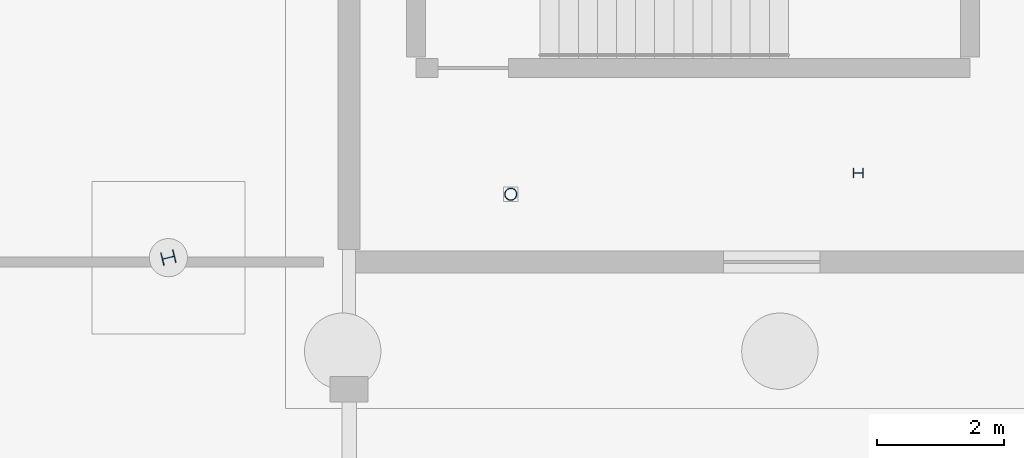
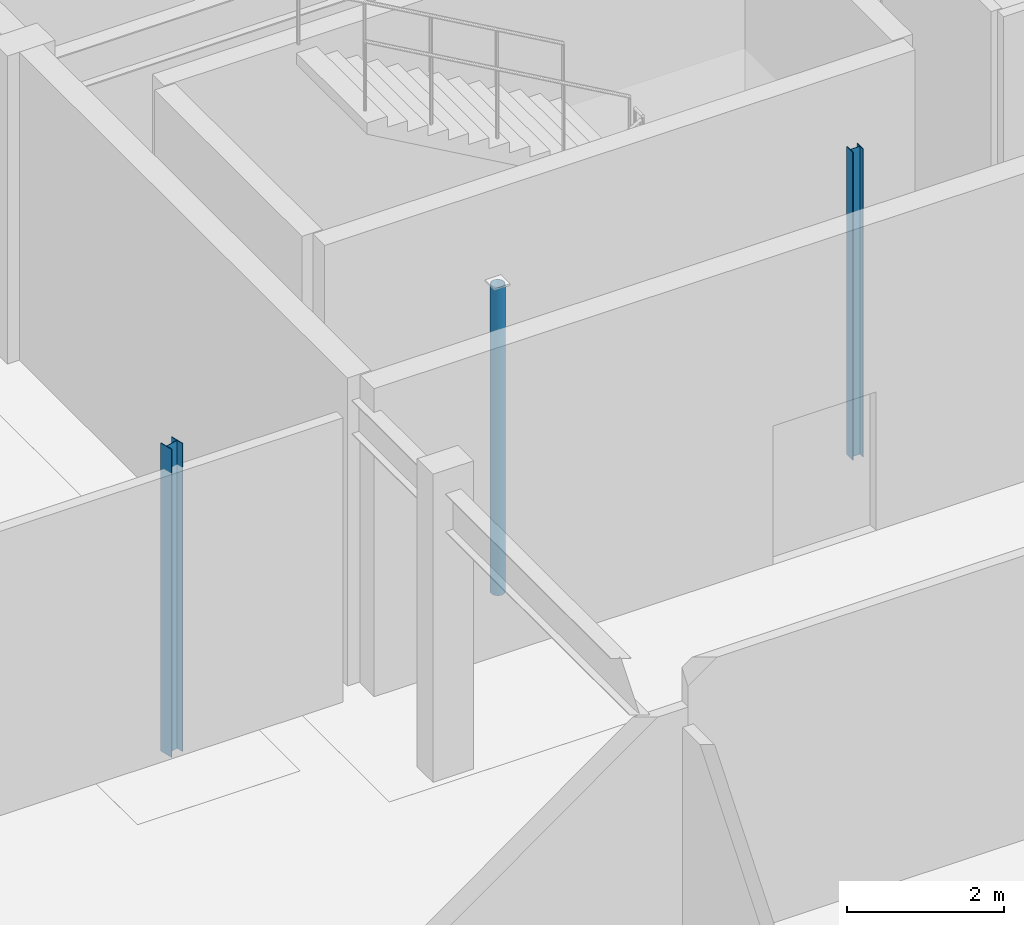
# One storey, part 39 of 136: 3 columns.
"""IFC4 building model written with IfcOpenShell, lengths in metres."""

from ifc_helpers import new_model, si_unit, direction, frame, origin, origin_2d, place, context, subcontext, project, spatial, hollow_circle, i_section, extrude, material, material_profile, profile_set, type_object, element, save


model = new_model("IFC4")

# Units and contexts
model_context = context("Model", 3, precision=1e-05, world=origin(), true_north=direction((0.0, 1.0)))
body_context = subcontext(model_context, "Body", "Model", "MODEL_VIEW")
ifc_project = project(units=[si_unit("LENGTHUNIT", "METRE"), si_unit("AREAUNIT", "SQUARE_METRE"), si_unit("VOLUMEUNIT", "CUBIC_METRE"), si_unit("PLANEANGLEUNIT", "RADIAN"), si_unit("MASSUNIT", "GRAM", prefix="KILO")], contexts=[model_context])

# Site, building, storey
site_placement = place(None, origin())
site = spatial("IfcSite", under=ifc_project, at=site_placement, CompositionType="ELEMENT")
building_placement = place(site_placement, origin())
building = spatial("IfcBuilding", under=site, at=building_placement, Name="Tarnwether General Hospital", CompositionType="ELEMENT")
storey_placement = place(building_placement, frame((0.0, 0.0, -4.800048828125)))
storey = spatial("IfcBuildingStorey", under=building, at=storey_placement, Name="LG", CompositionType="ELEMENT", Elevation=-4.800048828125)

# Columns
ifc_material_1 = material(Name="Steel Grade 350 (350 MPa)", Category="steel")
ifc_material_profile_1 = material_profile(ifc_material_1, i_section(OverallWidth=0.202880859375, OverallDepth=0.202880859375, WebThickness=0.00732421875, FlangeThickness=0.010986328125, at=origin_2d()), Name="200UC46.2")
ifc_profile_set_1 = profile_set([ifc_material_profile_1], Name="Steel Grade 350 (350 MPa)")
column_type_1 = type_object("IfcColumnType", Name="COL-27", PredefinedType="COLUMN", material=ifc_profile_set_1)
column_1_placement = place(storey_placement, frame((81.162109375, 106.468994140625, 0.0), z_axis=(0.0, 0.0, 1.0), x_axis=(-0.2419218956, 0.970295726276, 0.0)))
element("IfcColumn", 1, at=column_1_placement, inside=storey, type_object=column_type_1, Name="Column COLG-LG-8116_10647", PredefinedType="COLUMN", context=body_context, shape_type="SweptSolid", body=[
    extrude(i_section(OverallWidth=0.202880859375, OverallDepth=0.202880859375, WebThickness=0.00732421875, FlangeThickness=0.010986328125, at=origin_2d()), origin(), (0.0, 0.0, 1.0), 4.800048828125),
])
ifc_material_2 = material(Name="Steel Grade C350L0 (350 MPa)", Category="steel")
ifc_material_profile_2 = material_profile(ifc_material_2, hollow_circle(Radius=0.096923828125, WallThickness=0.008056640625, at=origin_2d()), Name="CHS193.7x8.0")
ifc_profile_set_2 = profile_set([ifc_material_profile_2], Name="Steel Grade C350L0 (350 MPa)")
column_type_2 = type_object("IfcColumnType", Name="COL-29", PredefinedType="COLUMN", material=ifc_profile_set_2)
column_2_placement = place(storey_placement, frame((86.5400390625, 107.466064453125, 0.0), z_axis=(0.0, 0.0, 1.0), x_axis=(-0.121869343405, 0.992546151641, 0.0)))
element("IfcColumn", 2, at=column_2_placement, inside=storey, type_object=column_type_2, Name="Column COLG-LG-8654_10747", PredefinedType="COLUMN", context=body_context, shape_type="SweptSolid", body=[
    extrude(hollow_circle(Radius=0.096923828125, WallThickness=0.008056640625, at=origin_2d()), origin(), (0.0, 0.0, 1.0), 4.800048828125),
])
ifc_material_3 = material(Name="Steel Grade 350 (350 MPa)", Category="steel")
ifc_material_profile_3 = material_profile(ifc_material_3, i_section(OverallWidth=0.153076171875, OverallDepth=0.157958984375, WebThickness=0.006591796875, FlangeThickness=0.009521484375, at=origin_2d()), Name="150UC30.0")
ifc_profile_set_3 = profile_set([ifc_material_profile_3], Name="Steel Grade 350 (350 MPa)")
column_type_3 = type_object("IfcColumnType", Name="COL-31", PredefinedType="COLUMN", material=ifc_profile_set_3)
column_3_placement = place(storey_placement, frame((92.0, 107.800048828125, 0.0), z_axis=(0.0, 0.0, 1.0), x_axis=(0.0, 1.0, 0.0)))
element("IfcColumn", 3, at=column_3_placement, inside=storey, type_object=column_type_3, Name="Column COLG-LG-9200_10780", PredefinedType="COLUMN", context=body_context, shape_type="SweptSolid", body=[
    extrude(i_section(OverallWidth=0.153076171875, OverallDepth=0.157958984375, WebThickness=0.006591796875, FlangeThickness=0.009521484375, at=origin_2d()), origin(), (0.0, 0.0, 1.0), 4.800048828125),
])

save(model, "model.ifc")
